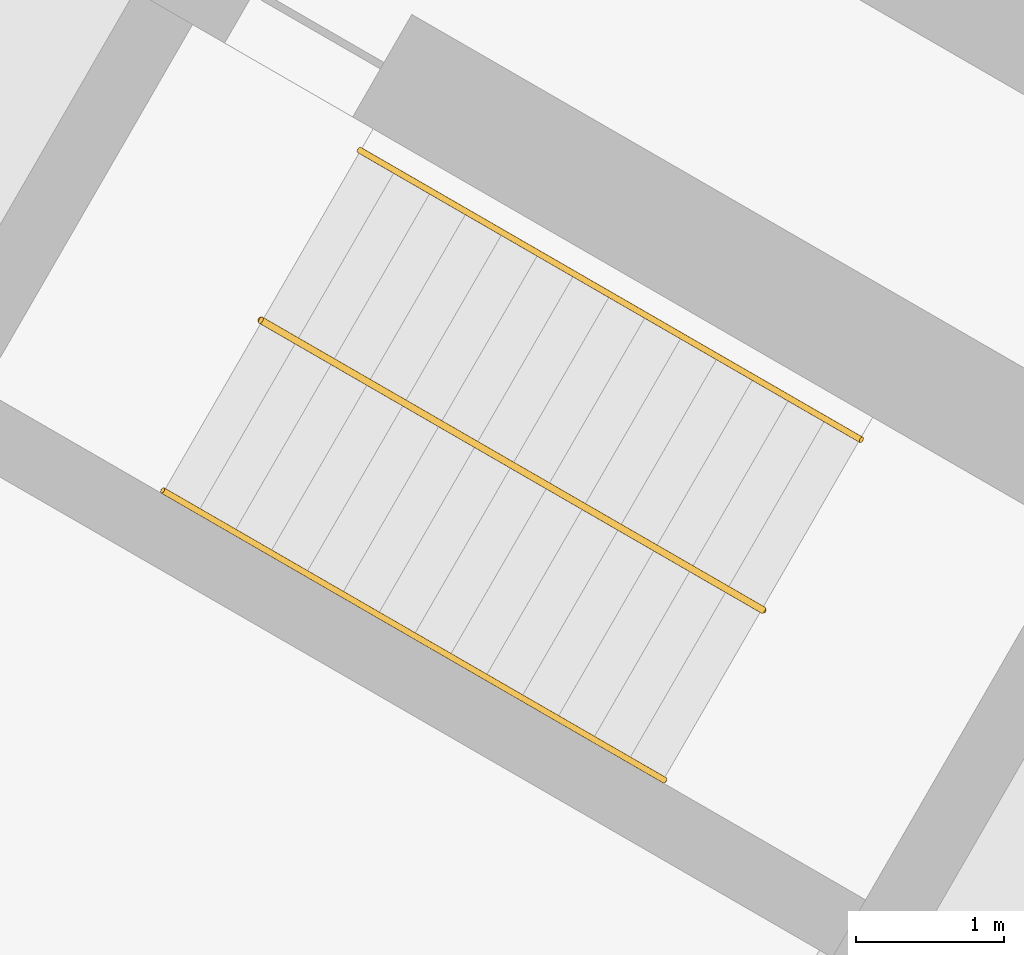
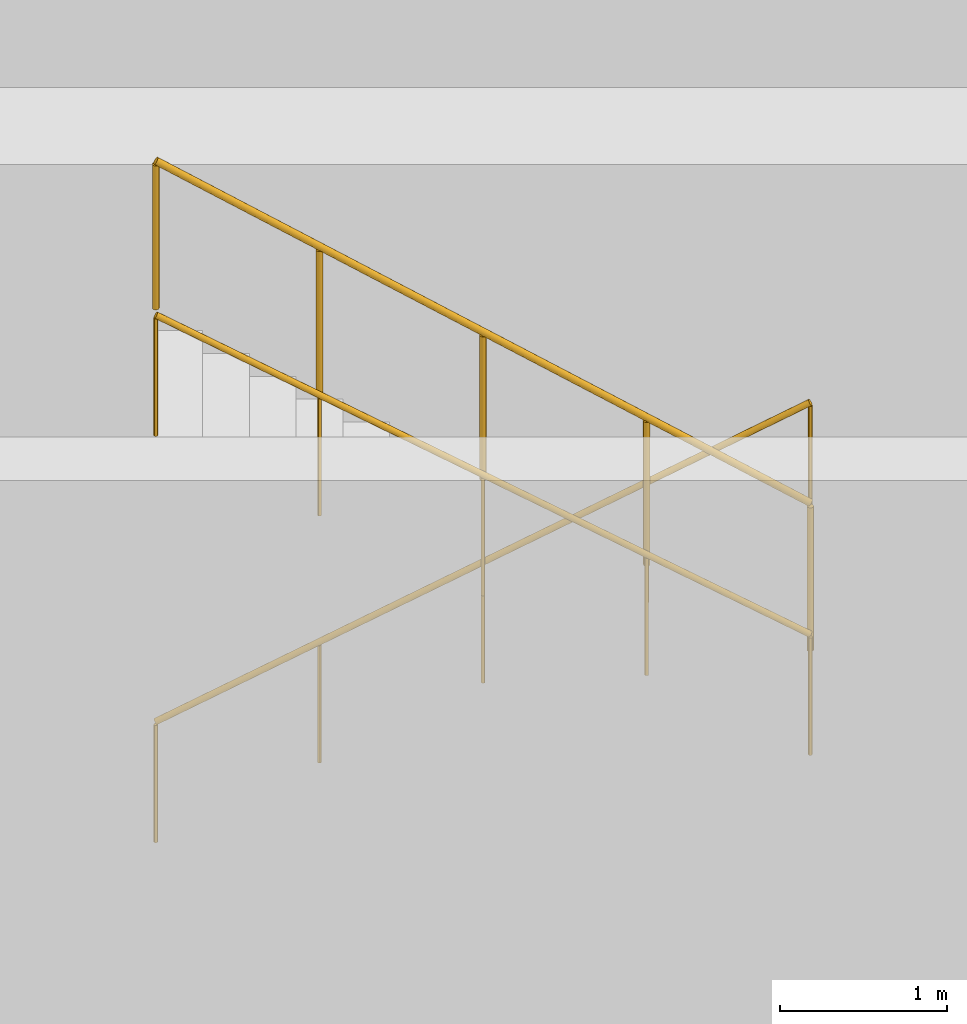
# One storey, part 34 of 34: 3 railings.
"""IFC4 building model written with IfcOpenShell, lengths in metres."""

from ifc_helpers import new_model, si_unit, direction, frame, origin, origin_2d, place, context, subcontext, project, spatial, circle, extrude, material, type_object, element, save


model = new_model("IFC4")

# Units and contexts
model_context = context("Model", 3, precision=1e-05, world=origin(), true_north=direction((0.0, 1.0)))
body_context = subcontext(model_context, "Body", "Model", "MODEL_VIEW")
ifc_project = project(units=[si_unit("LENGTHUNIT", "METRE"), si_unit("AREAUNIT", "SQUARE_METRE"), si_unit("VOLUMEUNIT", "CUBIC_METRE"), si_unit("PLANEANGLEUNIT", "RADIAN"), si_unit("MASSUNIT", "GRAM", prefix="KILO")], contexts=[model_context])

# Site, building, storey
site_placement = place(None, origin())
site = spatial("IfcSite", under=ifc_project, at=site_placement, CompositionType="ELEMENT")
building_placement = place(site_placement, origin())
building = spatial("IfcBuilding", under=site, at=building_placement, Name="Impinga Residences", CompositionType="ELEMENT")
storey_placement = place(building_placement, frame((0.0, 0.0, 11.0)))
storey = spatial("IfcBuildingStorey", under=building, at=storey_placement, Name="L02", CompositionType="ELEMENT", Elevation=11.0)

# Railings
ifc_material_1 = material(Name="Steel guard, powder coated", Category="steel")
railing_type_1 = type_object("IfcRailingType", Name="GR1 stair guard 1100", PredefinedType="GUARDRAIL", material=ifc_material_1)
railing_1_placement = place(storey_placement, frame((21.01123046875, -15.71044921875, 2.5)))
element("IfcRailing", 1, at=railing_1_placement, inside=storey, type_object=railing_type_1, Name="Stair guard GR1 WS3 L02", PredefinedType="GUARDRAIL", context=body_context, shape_type="SweptSolid", body=[
    extrude(circle(Radius=0.02392578125, at=origin_2d()), frame((0.0, 0.0, 1.076171875), z_axis=(-0.730169879136, 0.421560862259, 0.537715898048), x_axis=(-0.499997407846, -0.86602690036, 0.0)), (0.0, 0.0, 1.0), 4.6494140625),
    extrude(circle(Radius=0.02099609375, at=origin_2d()), origin(), (0.0, 0.0, 1.0), 1.052001953125),
    extrude(circle(Radius=0.02099609375, at=origin_2d()), frame((-0.8486328125, 0.489990234375, 0.625)), (0.0, 0.0, 1.0), 1.052001953125),
    extrude(circle(Radius=0.02099609375, at=origin_2d()), frame((-1.697265625, 0.97998046875, 1.25)), (0.0, 0.0, 1.0), 1.052001953125),
    extrude(circle(Radius=0.02099609375, at=origin_2d()), frame((-2.546142578125, 1.469970703125, 1.875)), (0.0, 0.0, 1.0), 1.052001953125),
    extrude(circle(Radius=0.02099609375, at=origin_2d()), frame((-3.394775390625, 1.9599609375, 2.5)), (0.0, 0.0, 1.0), 1.052001953125),
])
ifc_material_2 = material(Name="Steel handrail tube 42 mm, powder coated", Category="steel")
railing_type_2 = type_object("IfcRailingType", Name="HR1 stair handrail, 42 mm steel tube, 900 above the pitch line", PredefinedType="HANDRAIL", material=ifc_material_2)
railing_2_placement = place(storey_placement, frame((18.281005859375, -12.599609375, 0.166748046875)))
element("IfcRailing", 2, at=railing_2_placement, inside=storey, type_object=railing_type_2, Name="Stair handrail HR1 WS3 L02", PredefinedType="HANDRAIL", context=body_context, shape_type="SweptSolid", body=[
    extrude(circle(Radius=0.02099609375, at=origin_2d()), frame((0.0, 0.0, 0.87890625), z_axis=(0.744174672596, -0.429646477641, 0.511476256455), x_axis=(0.499997407846, 0.86602690036, 0.0)), (0.0, 0.0, 1.0), 4.561767578125),
    extrude(circle(Radius=0.012451171875, at=origin_2d()), origin(), (0.0, 0.0, 1.0), 0.85791015625),
    extrude(circle(Radius=0.012451171875, at=origin_2d()), frame((0.8486328125, -0.489990234375, 0.583251953125)), (0.0, 0.0, 1.0), 0.85791015625),
    extrude(circle(Radius=0.012451171875, at=origin_2d()), frame((1.697265625, -0.97998046875, 1.16650390625)), (0.0, 0.0, 1.0), 0.85791015625),
    extrude(circle(Radius=0.012451171875, at=origin_2d()), frame((2.546142578125, -1.469970703125, 1.75)), (0.0, 0.0, 1.0), 0.85791015625),
    extrude(circle(Radius=0.012451171875, at=origin_2d()), frame((3.394775390625, -1.9599609375, 2.333251953125)), (0.0, 0.0, 1.0), 0.85791015625),
])
railing_3_placement = place(storey_placement, frame((20.3466796875, -16.861328125, 2.666748046875)))
element("IfcRailing", 3, at=railing_3_placement, inside=storey, type_object=railing_type_2, Name="Stair handrail HR1 WS3 L02", PredefinedType="HANDRAIL", context=body_context, shape_type="SweptSolid", body=[
    extrude(circle(Radius=0.02099609375, at=origin_2d()), frame((0.0, 0.0, 0.87890625), z_axis=(-0.744174672596, 0.429646477641, 0.511476256455), x_axis=(-0.499997407846, -0.86602690036, 0.0)), (0.0, 0.0, 1.0), 4.561767578125),
    extrude(circle(Radius=0.012451171875, at=origin_2d()), origin(), (0.0, 0.0, 1.0), 0.85791015625),
    extrude(circle(Radius=0.012451171875, at=origin_2d()), frame((-0.8486328125, 0.489990234375, 0.583251953125)), (0.0, 0.0, 1.0), 0.85791015625),
    extrude(circle(Radius=0.012451171875, at=origin_2d()), frame((-1.697265625, 0.97998046875, 1.16650390625)), (0.0, 0.0, 1.0), 0.85791015625),
    extrude(circle(Radius=0.012451171875, at=origin_2d()), frame((-2.546142578125, 1.469970703125, 1.75)), (0.0, 0.0, 1.0), 0.85791015625),
    extrude(circle(Radius=0.012451171875, at=origin_2d()), frame((-3.394775390625, 1.9599609375, 2.333251953125)), (0.0, 0.0, 1.0), 0.85791015625),
])

save(model, "model.ifc")
